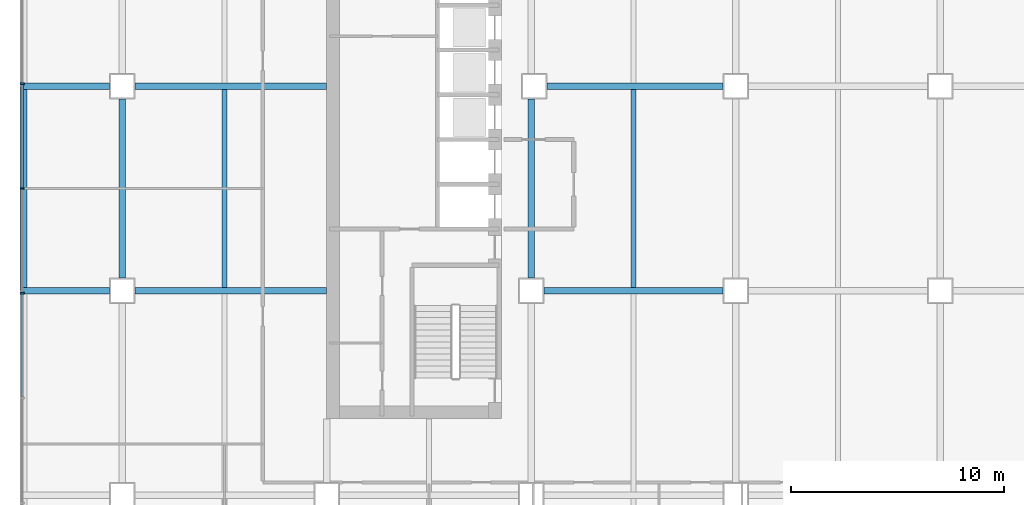
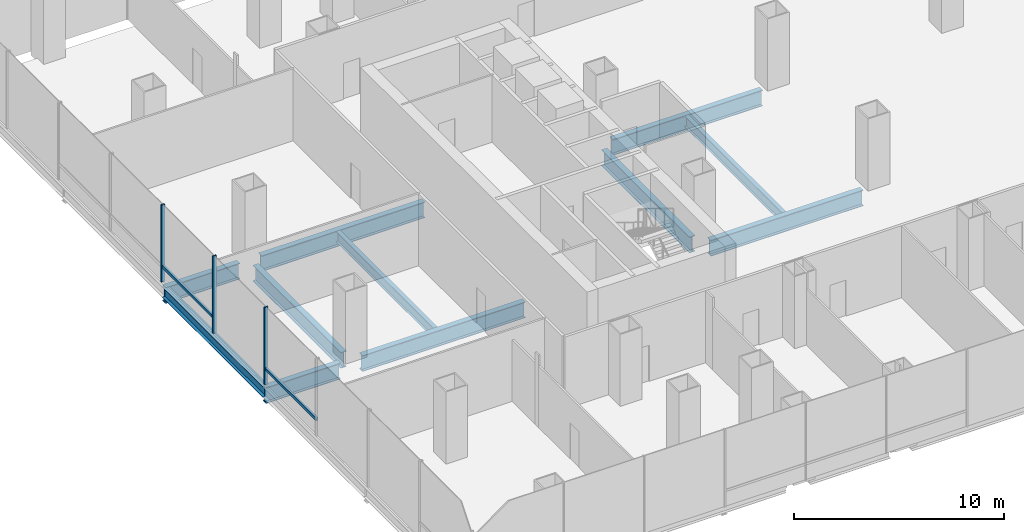
# One storey, part 4 of 23: 11 beams, 5 members, 1 element without a shape of its own.
"""IFC4 building model written with IfcOpenShell, lengths in metres."""

from ifc_helpers import new_model, si_unit, direction, frame, origin, origin_2d, place, context, subcontext, project, spatial, rectangle, i_section, extrude, material, material_profile, profile_set, type_object, element, aggregate, save


model = new_model("IFC4")

# Units and contexts
model_context = context("Model", 3, precision=1e-05, world=origin(), true_north=direction((0.0, 1.0)))
body_context = subcontext(model_context, "Body", "Model", "MODEL_VIEW")
ifc_project = project(units=[si_unit("LENGTHUNIT", "METRE"), si_unit("AREAUNIT", "SQUARE_METRE"), si_unit("VOLUMEUNIT", "CUBIC_METRE"), si_unit("PLANEANGLEUNIT", "RADIAN"), si_unit("MASSUNIT", "GRAM", prefix="KILO")], contexts=[model_context])

# Site, building, storey
site_placement = place(None, origin())
site = spatial("IfcSite", under=ifc_project, at=site_placement, CompositionType="ELEMENT")
building_placement = place(site_placement, origin())
building = spatial("IfcBuilding", under=site, at=building_placement, Name="Cobrizo Arcos Hotel Tower", CompositionType="ELEMENT")
storey_placement = place(building_placement, frame((0.0, 0.0, 29.0)))
storey = spatial("IfcBuildingStorey", under=building, at=storey_placement, Name="L05", CompositionType="ELEMENT", Elevation=29.0)

# Curtain wall, members
ifc_material_1 = material(Name="Aluminium 6063-T6 anodised bronze", Category="aluminium")
curtain_wall_type = type_object("IfcCurtainWallType", Name="CW-B podium glazing", PredefinedType="NOTDEFINED", material=ifc_material_1)
curtain_wall_placement = place(storey_placement, origin())
curtain_wall = element("IfcCurtainWall", 1, at=curtain_wall_placement, inside=storey, type_object=curtain_wall_type, Name="CW-B L05 W face", PredefinedType="NOTDEFINED")
ifc_material_profile_1 = material_profile(ifc_material_1, rectangle(XDim=0.199951171875, YDim=0.080078125, at=origin_2d()), Name="CW-B mullion 200x80")
ifc_profile_set_1 = profile_set([ifc_material_profile_1], Name="Aluminium 6063-T6 anodised bronze")
member_type_1 = type_object("IfcMemberType", Name="CW-B mullion 200x80", PredefinedType="MULLION", material=ifc_profile_set_1)
member_1_placement = place(storey_placement, frame((-38.300048828125, 4.919921875, 0.0), z_axis=(0.0, 0.0, 1.0), x_axis=(-1.0, 0.0, 0.0)))
member_1 = element("IfcMember", 2, at=member_1_placement, type_object=member_type_1, Name="CW-B mullion 5", PredefinedType="MULLION", context=body_context, shape_type="SweptSolid", body=[
    extrude(rectangle(XDim=0.199951171875, YDim=0.080078125, at=origin_2d()), origin(), (0.0, 0.0, 1.0), 4.5),
])
member_2_placement = place(storey_placement, frame((-38.300048828125, 0.0, 0.0), z_axis=(0.0, 0.0, 1.0), x_axis=(-1.0, 0.0, 0.0)))
member_2 = element("IfcMember", 3, at=member_2_placement, type_object=member_type_1, Name="CW-B mullion 6", PredefinedType="MULLION", context=body_context, shape_type="SweptSolid", body=[
    extrude(rectangle(XDim=0.199951171875, YDim=0.080078125, at=origin_2d()), origin(), (0.0, 0.0, 1.0), 4.5),
])
member_3_placement = place(storey_placement, frame((-38.300048828125, -4.919921875, 0.0), z_axis=(0.0, 0.0, 1.0), x_axis=(-1.0, 0.0, 0.0)))
member_3 = element("IfcMember", 4, at=member_3_placement, type_object=member_type_1, Name="CW-B mullion 7", PredefinedType="MULLION", context=body_context, shape_type="SweptSolid", body=[
    extrude(rectangle(XDim=0.199951171875, YDim=0.080078125, at=origin_2d()), origin(), (0.0, 0.0, 1.0), 4.5),
])
ifc_material_profile_2 = material_profile(ifc_material_1, rectangle(XDim=0.1201171875, YDim=0.159912109375, at=origin_2d()), Name="CW-B transom 160x120")
ifc_profile_set_2 = profile_set([ifc_material_profile_2], Name="Aluminium 6063-T6 anodised bronze")
member_type_2 = type_object("IfcMemberType", Name="CW-B transom 160x120", PredefinedType="USERDEFINED", material=ifc_profile_set_2)
member_4_placement = place(storey_placement, frame((-38.300048828125, 4.8798828125, 0.89990234375), z_axis=(0.0, -1.0, 0.0), x_axis=(1.0, 0.0, 0.0)))
member_4 = element("IfcMember", 5, at=member_4_placement, type_object=member_type_2, Name="CW-B transom 300", ObjectType="TRANSOM", PredefinedType="USERDEFINED", context=body_context, shape_type="SweptSolid", body=[
    extrude(rectangle(XDim=0.1201171875, YDim=0.159912109375, at=origin_2d()), origin(), (0.0, 0.0, 1.0), 4.83984375),
])
member_5_placement = place(storey_placement, frame((-38.300048828125, -4.9599609375, 0.89990234375), z_axis=(0.0, -1.0, 0.0), x_axis=(1.0, 0.0, 0.0)))
member_5 = element("IfcMember", 6, at=member_5_placement, type_object=member_type_2, Name="CW-B transom 302", ObjectType="TRANSOM", PredefinedType="USERDEFINED", context=body_context, shape_type="SweptSolid", body=[
    extrude(rectangle(XDim=0.1201171875, YDim=0.159912109375, at=origin_2d()), origin(), (0.0, 0.0, 1.0), 4.840087890625),
])
aggregate(curtain_wall, [member_1, member_2, member_3, member_4, member_5])

# Beams
ifc_material_2 = material(Name="Steel ASTM A992 Grade 50", Category="steel")
ifc_material_profile_3 = material_profile(ifc_material_2, i_section(OverallWidth=0.32763671875, OverallDepth=0.622314453125, WebThickness=0.015380859375, FlangeThickness=0.0244140625, at=origin_2d()), Name="W24X131")
ifc_profile_set_3 = profile_set([ifc_material_profile_3], Name="Steel ASTM A992 Grade 50")
beam_type_1 = type_object("IfcBeamType", Name="W24X131 edge beam", PredefinedType="BEAM", material=ifc_profile_set_3)
beam_1_placement = place(storey_placement, frame((-38.236083984375, 4.800048828125, -0.51123046875), z_axis=(0.0, -1.0, 0.0), x_axis=(1.0, 0.0, 0.0)))
element("IfcBeam", 7, at=beam_1_placement, inside=storey, type_object=beam_type_1, Name="Edge beam EB1, L05, no. 010", PredefinedType="BEAM", context=body_context, shape_type="SweptSolid", body=[
    extrude(i_section(OverallWidth=0.32763671875, OverallDepth=0.622314453125, WebThickness=0.015380859375, FlangeThickness=0.0244140625, at=origin_2d()), origin(), (0.0, 0.0, 1.0), 9.60009765625),
])
ifc_material_profile_4 = material_profile(ifc_material_2, i_section(OverallWidth=0.23046875, OverallDepth=0.6171875, WebThickness=0.01318359375, FlangeThickness=0.022216796875, at=origin_2d()), Name="W24X94")
ifc_profile_set_4 = profile_set([ifc_material_profile_4], Name="Steel ASTM A992 Grade 50")
beam_type_2 = type_object("IfcBeamType", Name="W24X94 podium joist", PredefinedType="JOIST", material=ifc_profile_set_4)
for number, where, z_axis, x_axis, name in (
    (8, (-28.800048828125, -4.646240234375, -0.508544921875), (0.0, 1.0, 0.0), (-1.0, 0.0, 0.0), "Podium joist PJ1, L05, no. 003"),
    (9, (-9.60009765625, -4.646240234375, -0.508544921875), (0.0, 1.0, 0.0), (-1.0, 0.0, 0.0), "Podium joist PJ1, L05, no. 012"),
):
    element("IfcBeam", number, at=place(storey_placement, frame(where, z_axis=z_axis, x_axis=x_axis)), inside=storey, type_object=beam_type_2, Name=name, PredefinedType="JOIST", context=body_context, shape_type="SweptSolid", body=[
        extrude(i_section(OverallWidth=0.23046875, OverallDepth=0.6171875, WebThickness=0.01318359375, FlangeThickness=0.022216796875, at=origin_2d()), origin(), (0.0, 0.0, 1.0), 9.29248046875),
    ])
ifc_material_profile_5 = material_profile(ifc_material_2, i_section(OverallWidth=0.307373046875, OverallDepth=0.927001953125, WebThickness=0.01953125, FlangeThickness=0.031982421875, at=origin_2d()), Name="W36X194")
ifc_profile_set_5 = profile_set([ifc_material_profile_5], Name="Steel ASTM A992 Grade 50")
beam_type_3 = type_object("IfcBeamType", Name="W36X194 podium girder", PredefinedType="BEAM", material=ifc_profile_set_5)
beam_2_placement = place(storey_placement, frame((-38.31005859375, -4.800048828125, -0.66357421875), z_axis=(1.0, 0.0, 0.0), x_axis=(0.0, 1.0, 0.0)))
element("IfcBeam", 10, at=beam_2_placement, inside=storey, type_object=beam_type_3, Name="Podium girder PG1, L05, no. 010", PredefinedType="BEAM", context=body_context, shape_type="SweptSolid", body=[
    extrude(i_section(OverallWidth=0.307373046875, OverallDepth=0.927001953125, WebThickness=0.01953125, FlangeThickness=0.031982421875, at=origin_2d()), origin(), (0.0, 0.0, 1.0), 4.110107421875),
])
beam_3_placement = place(storey_placement, frame((-33.0, -4.800048828125, -0.66357421875), z_axis=(1.0, 0.0, 0.0), x_axis=(0.0, 1.0, 0.0)))
element("IfcBeam", 11, at=beam_3_placement, inside=storey, type_object=beam_type_3, Name="Podium girder PG1, L05, no. 011", PredefinedType="BEAM", context=body_context, shape_type="SweptSolid", body=[
    extrude(i_section(OverallWidth=0.307373046875, OverallDepth=0.927001953125, WebThickness=0.01953125, FlangeThickness=0.031982421875, at=origin_2d()), origin(), (0.0, 0.0, 1.0), 8.989990234375),
])
beam_4_placement = place(storey_placement, frame((-13.800048828125, -4.800048828125, -0.66357421875), z_axis=(1.0, 0.0, 0.0), x_axis=(0.0, 1.0, 0.0)))
element("IfcBeam", 12, at=beam_4_placement, inside=storey, type_object=beam_type_3, Name="Podium girder PG1, L05, no. 012", PredefinedType="BEAM", context=body_context, shape_type="SweptSolid", body=[
    extrude(i_section(OverallWidth=0.307373046875, OverallDepth=0.927001953125, WebThickness=0.01953125, FlangeThickness=0.031982421875, at=origin_2d()), origin(), (0.0, 0.0, 1.0), 8.400146484375),
])
beam_5_placement = place(storey_placement, frame((-38.31005859375, 4.800048828125, -0.66357421875), z_axis=(1.0, 0.0, 0.0), x_axis=(0.0, 1.0, 0.0)))
element("IfcBeam", 13, at=beam_5_placement, inside=storey, type_object=beam_type_3, Name="Podium girder PG1, L05, no. 018", PredefinedType="BEAM", context=body_context, shape_type="SweptSolid", body=[
    extrude(i_section(OverallWidth=0.307373046875, OverallDepth=0.927001953125, WebThickness=0.01953125, FlangeThickness=0.031982421875, at=origin_2d()), origin(), (0.0, 0.0, 1.0), 4.110107421875),
])
beam_6_placement = place(storey_placement, frame((-33.0, 4.800048828125, -0.66357421875), z_axis=(1.0, 0.0, 0.0), x_axis=(0.0, 1.0, 0.0)))
element("IfcBeam", 14, at=beam_6_placement, inside=storey, type_object=beam_type_3, Name="Podium girder PG1, L05, no. 019", PredefinedType="BEAM", context=body_context, shape_type="SweptSolid", body=[
    extrude(i_section(OverallWidth=0.307373046875, OverallDepth=0.927001953125, WebThickness=0.01953125, FlangeThickness=0.031982421875, at=origin_2d()), origin(), (0.0, 0.0, 1.0), 8.989990234375),
])
beam_7_placement = place(storey_placement, frame((-13.64990234375, 4.800048828125, -0.66357421875), z_axis=(1.0, 0.0, 0.0), x_axis=(0.0, 1.0, 0.0)))
element("IfcBeam", 15, at=beam_7_placement, inside=storey, type_object=beam_type_3, Name="Podium girder PG1, L05, no. 020", PredefinedType="BEAM", context=body_context, shape_type="SweptSolid", body=[
    extrude(i_section(OverallWidth=0.307373046875, OverallDepth=0.927001953125, WebThickness=0.01953125, FlangeThickness=0.031982421875, at=origin_2d()), origin(), (0.0, 0.0, 1.0), 8.25),
])
for number, where, z_axis, x_axis, name in (
    (16, (-33.60009765625, -4.199951171875, -0.66357421875), (0.0, 1.0, 0.0), (-1.0, 0.0, 0.0), "Podium girder PG1, L05, no. 037"),
    (17, (-14.39990234375, -4.199951171875, -0.66357421875), (0.0, 1.0, 0.0), (-1.0, 0.0, 0.0), "Podium girder PG1, L05, no. 048"),
):
    element("IfcBeam", number, at=place(storey_placement, frame(where, z_axis=z_axis, x_axis=x_axis)), inside=storey, type_object=beam_type_3, Name=name, PredefinedType="BEAM", context=body_context, shape_type="SweptSolid", body=[
        extrude(i_section(OverallWidth=0.307373046875, OverallDepth=0.927001953125, WebThickness=0.01953125, FlangeThickness=0.031982421875, at=origin_2d()), origin(), (0.0, 0.0, 1.0), 8.39990234375),
    ])

save(model, "model.ifc")
